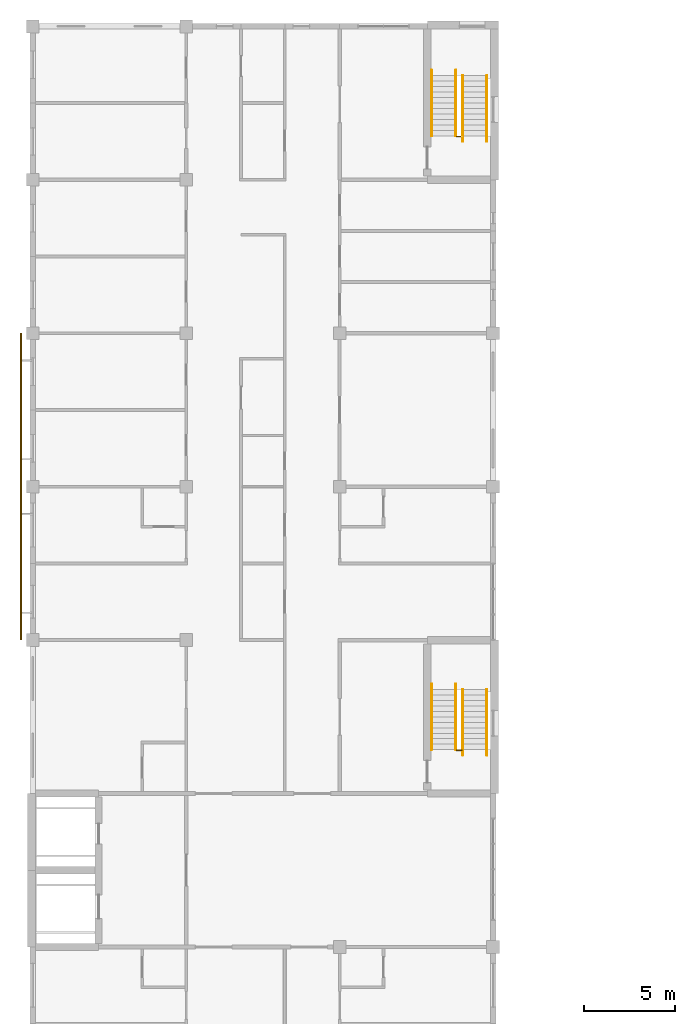
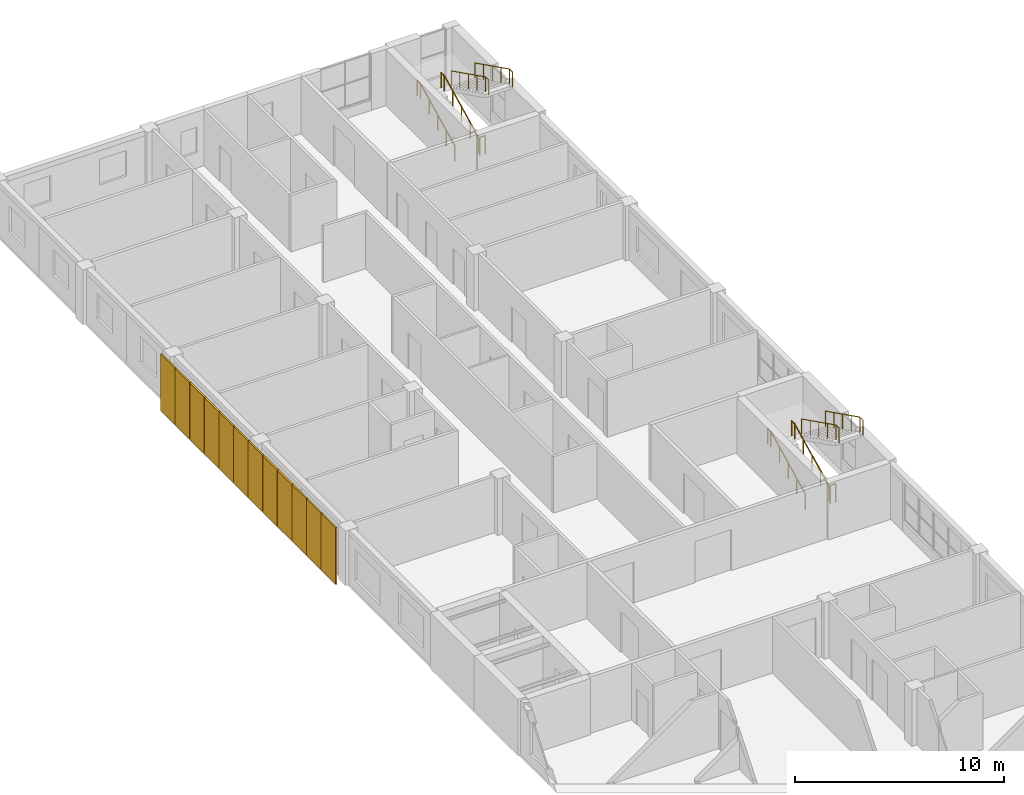
# One storey, part 47 of 48: 12 shading devices, 10 railings.
"""IFC4 building model written with IfcOpenShell, lengths in metres."""

from ifc_helpers import new_model, si_unit, direction, frame, origin, origin_2d, place, context, subcontext, project, spatial, rectangle, circle, extrude, material, layer, layer_set, type_object, element, save


model = new_model("IFC4")

# Units and contexts
model_context = context("Model", 3, precision=1e-05, world=origin(), true_north=direction((0.0, 1.0)))
body_context = subcontext(model_context, "Body", "Model", "MODEL_VIEW")
ifc_project = project(units=[si_unit("LENGTHUNIT", "METRE"), si_unit("AREAUNIT", "SQUARE_METRE"), si_unit("VOLUMEUNIT", "CUBIC_METRE"), si_unit("PLANEANGLEUNIT", "RADIAN"), si_unit("MASSUNIT", "GRAM", prefix="KILO")], contexts=[model_context])

# Site, building, storey
site_placement = place(None, origin())
site = spatial("IfcSite", under=ifc_project, at=site_placement, CompositionType="ELEMENT")
building_placement = place(site_placement, origin())
building = spatial("IfcBuilding", under=site, at=building_placement, Name="Yavir Park General Hospital", CompositionType="ELEMENT")
storey_placement = place(building_placement, frame((0.0, 0.0, 26.10009765625)))
storey = spatial("IfcBuildingStorey", under=building, at=storey_placement, Name="L06", CompositionType="ELEMENT", Elevation=26.10009765625)

# Shading devices
ifc_material_1 = material(Name="Precast concrete perforated block panel", Category="concrete")
ifc_layer = layer(ifc_material_1, 0.092041015625)
ifc_layer_set = layer_set([ifc_layer], Name="Precast concrete perforated block panel")
shading_device_type = type_object("IfcShadingDeviceType", Name="Precast breeze-block screen panel 1380 x 3300 x 92", PredefinedType="JALOUSIE", material=ifc_layer_set)
for number, where, z_axis, x_axis, name in (
    (1, (-0.64990234375, 84.699951171875, 0.0), (0.0, 0.0, 1.0), (1.0, 0.0, 0.0), "Screen panel W11.4.1"),
    (2, (-0.64990234375, 86.10009765625, 0.0), (0.0, 0.0, 1.0), (1.0, 0.0, 0.0), "Screen panel W11.4.2"),
    (3, (-0.64990234375, 87.5, 0.0), (0.0, 0.0, 1.0), (1.0, 0.0, 0.0), "Screen panel W11.4.3"),
    (4, (-0.64990234375, 88.89990234375, 0.0), (0.0, 0.0, 1.0), (1.0, 0.0, 0.0), "Screen panel W11.4.4"),
    (5, (-0.64990234375, 90.300048828125, 0.0), (0.0, 0.0, 1.0), (1.0, 0.0, 0.0), "Screen panel W11.4.5"),
    (6, (-0.64990234375, 91.699951171875, 0.0), (0.0, 0.0, 1.0), (1.0, 0.0, 0.0), "Screen panel W11.4.6"),
    (7, (-0.64990234375, 93.10009765625, 0.0), (0.0, 0.0, 1.0), (1.0, 0.0, 0.0), "Screen panel W12.4.1"),
    (8, (-0.64990234375, 94.5, 0.0), (0.0, 0.0, 1.0), (1.0, 0.0, 0.0), "Screen panel W12.4.2"),
    (9, (-0.64990234375, 95.89990234375, 0.0), (0.0, 0.0, 1.0), (1.0, 0.0, 0.0), "Screen panel W12.4.3"),
    (10, (-0.64990234375, 97.300048828125, 0.0), (0.0, 0.0, 1.0), (1.0, 0.0, 0.0), "Screen panel W12.4.4"),
    (11, (-0.64990234375, 98.699951171875, 0.0), (0.0, 0.0, 1.0), (1.0, 0.0, 0.0), "Screen panel W12.4.5"),
    (12, (-0.64990234375, 100.10009765625, 0.0), (0.0, 0.0, 1.0), (1.0, 0.0, 0.0), "Screen panel W12.4.6"),
):
    element("IfcShadingDevice", number, at=place(storey_placement, frame(where, z_axis=z_axis, x_axis=x_axis)), inside=storey, type_object=shading_device_type, Name=name, PredefinedType="JALOUSIE", context=body_context, shape_type="SweptSolid", body=[
        extrude(rectangle(XDim=0.092041015625, YDim=1.3798828125, at=origin_2d()), origin(), (0.0, 0.0, 1.0), 3.300048828125),
    ])

# Railings
ifc_material_2 = material(Name="Steel balustrade with infill rods", Category="steel")
railing_type_1 = type_object("IfcRailingType", Name="Stair guard, steel balustrade 1100 mm", PredefinedType="GUARDRAIL", material=ifc_material_2)
for number, where, name in (
    (13, (23.199951171875, 77.969970703125, 0.0), "Stair well guard SW2 L06"),
    (14, (23.199951171875, 111.570068359375, 0.0), "Stair well guard SW3 L06"),
):
    element("IfcRailing", number, at=place(storey_placement, frame(where)), inside=storey, type_object=railing_type_1, Name=name, PredefinedType="GUARDRAIL", context=body_context, shape_type="SweptSolid", body=[
        extrude(circle(Radius=0.02392578125, at=origin_2d()), frame((0.0, 0.0, 1.076171875), z_axis=(1.0, 0.0, 0.0), x_axis=(0.0, 1.0, 0.0)), (0.0, 0.0, 1.0), 0.300048828125),
        extrude(circle(Radius=0.02099609375, at=origin_2d()), origin(), (0.0, 0.0, 1.0), 1.052001953125),
        extrude(circle(Radius=0.02099609375, at=origin_2d()), frame((0.300048828125, 0.0, 0.0)), (0.0, 0.0, 1.0), 1.052001953125),
    ])
ifc_material_3 = material(Name="Stainless steel tube 48 mm", Category="steel")
railing_type_2 = type_object("IfcRailingType", Name="Stair handrail, steel tube, 900 mm above the nosings", PredefinedType="HANDRAIL", material=ifc_material_3)
for number, where, name in (
    (15, (21.840087890625, 78.0, 0.14990234375), "Handrail SW2 L06 1"),
    (16, (23.159912109375, 78.0, 0.14990234375), "Handrail SW2 L06 2"),
):
    element("IfcRailing", number, at=place(storey_placement, frame(where)), inside=storey, type_object=railing_type_2, Name=name, PredefinedType="HANDRAIL", context=body_context, shape_type="SweptSolid", body=[
        extrude(circle(Radius=0.02392578125, at=origin_2d()), frame((0.0, 0.0, 0.8759765625), z_axis=(0.0, 0.894440424912, 0.447187126696), x_axis=(-1.0, 0.0, 0.0)), (0.0, 0.0, 1.0), 3.689453125),
        extrude(circle(Radius=0.02392578125, at=origin_2d()), frame((0.0, 3.300048828125, 2.52587890625), z_axis=(0.0, 1.0, 0.0), x_axis=(-1.0, 0.0, 0.0)), (0.0, 0.0, 1.0), 0.300048828125),
        extrude(circle(Radius=0.02099609375, at=origin_2d()), origin(), (0.0, 0.0, 1.0), 0.851806640625),
        extrude(circle(Radius=0.02099609375, at=origin_2d()), frame((0.0, 0.824951171875, 0.41259765625)), (0.0, 0.0, 1.0), 0.851806640625),
        extrude(circle(Radius=0.02099609375, at=origin_2d()), frame((0.0, 1.64990234375, 0.824951171875)), (0.0, 0.0, 1.0), 0.851806640625),
        extrude(circle(Radius=0.02099609375, at=origin_2d()), frame((0.0, 2.47509765625, 1.2373046875)), (0.0, 0.0, 1.0), 0.851806640625),
        extrude(circle(Radius=0.02099609375, at=origin_2d()), frame((0.0, 3.300048828125, 1.64990234375)), (0.0, 0.0, 1.0), 0.851806640625),
        extrude(circle(Radius=0.02099609375, at=origin_2d()), frame((0.0, 3.60009765625, 1.64990234375)), (0.0, 0.0, 1.0), 0.851806640625),
    ])
for number, where, name in (
    (17, (24.860107421875, 81.300048828125, 1.949951171875), "Handrail SW2 L06 3"),
    (18, (23.5400390625, 81.300048828125, 1.949951171875), "Handrail SW2 L06 4"),
):
    element("IfcRailing", number, at=place(storey_placement, frame(where)), inside=storey, type_object=railing_type_2, Name=name, PredefinedType="HANDRAIL", context=body_context, shape_type="SweptSolid", body=[
        extrude(circle(Radius=0.02392578125, at=origin_2d()), frame((0.0, 0.0, 0.8759765625), z_axis=(0.0, -0.894440424912, 0.447187126696), x_axis=(1.0, 0.0, 0.0)), (0.0, 0.0, 1.0), 3.689453125),
        extrude(circle(Radius=0.02392578125, at=origin_2d()), frame((0.0, -3.300048828125, 2.52587890625), z_axis=(0.0, -1.0, 0.0), x_axis=(1.0, 0.0, 0.0)), (0.0, 0.0, 1.0), 0.300048828125),
        extrude(circle(Radius=0.02099609375, at=origin_2d()), origin(), (0.0, 0.0, 1.0), 0.851806640625),
        extrude(circle(Radius=0.02099609375, at=origin_2d()), frame((0.0, -0.824951171875, 0.41259765625)), (0.0, 0.0, 1.0), 0.851806640625),
        extrude(circle(Radius=0.02099609375, at=origin_2d()), frame((0.0, -1.64990234375, 0.824951171875)), (0.0, 0.0, 1.0), 0.851806640625),
        extrude(circle(Radius=0.02099609375, at=origin_2d()), frame((0.0, -2.47509765625, 1.2373046875)), (0.0, 0.0, 1.0), 0.851806640625),
        extrude(circle(Radius=0.02099609375, at=origin_2d()), frame((0.0, -3.300048828125, 1.64990234375)), (0.0, 0.0, 1.0), 0.851806640625),
        extrude(circle(Radius=0.02099609375, at=origin_2d()), frame((0.0, -3.60009765625, 1.64990234375)), (0.0, 0.0, 1.0), 0.851806640625),
    ])
for number, where, name in (
    (19, (21.840087890625, 111.60009765625, 0.14990234375), "Handrail SW3 L06 1"),
    (20, (23.159912109375, 111.60009765625, 0.14990234375), "Handrail SW3 L06 2"),
):
    element("IfcRailing", number, at=place(storey_placement, frame(where)), inside=storey, type_object=railing_type_2, Name=name, PredefinedType="HANDRAIL", context=body_context, shape_type="SweptSolid", body=[
        extrude(circle(Radius=0.02392578125, at=origin_2d()), frame((0.0, 0.0, 0.8759765625), z_axis=(0.0, 0.894427191, 0.4472135955), x_axis=(-1.0, 0.0, 0.0)), (0.0, 0.0, 1.0), 3.689208984375),
        extrude(circle(Radius=0.02392578125, at=origin_2d()), frame((0.0, 3.2998046875, 2.52587890625), z_axis=(0.0, 1.0, 0.0), x_axis=(-1.0, 0.0, 0.0)), (0.0, 0.0, 1.0), 0.300048828125),
        extrude(circle(Radius=0.02099609375, at=origin_2d()), origin(), (0.0, 0.0, 1.0), 0.851806640625),
        extrude(circle(Radius=0.02099609375, at=origin_2d()), frame((0.0, 0.824951171875, 0.41259765625)), (0.0, 0.0, 1.0), 0.851806640625),
        extrude(circle(Radius=0.02099609375, at=origin_2d()), frame((0.0, 1.64990234375, 0.824951171875)), (0.0, 0.0, 1.0), 0.851806640625),
        extrude(circle(Radius=0.02099609375, at=origin_2d()), frame((0.0, 2.474853515625, 1.2373046875)), (0.0, 0.0, 1.0), 0.851806640625),
        extrude(circle(Radius=0.02099609375, at=origin_2d()), frame((0.0, 3.2998046875, 1.64990234375)), (0.0, 0.0, 1.0), 0.851806640625),
        extrude(circle(Radius=0.02099609375, at=origin_2d()), frame((0.0, 3.599853515625, 1.64990234375)), (0.0, 0.0, 1.0), 0.851806640625),
    ])
for number, where, name in (
    (21, (24.860107421875, 114.89990234375, 1.949951171875), "Handrail SW3 L06 3"),
    (22, (23.5400390625, 114.89990234375, 1.949951171875), "Handrail SW3 L06 4"),
):
    element("IfcRailing", number, at=place(storey_placement, frame(where)), inside=storey, type_object=railing_type_2, Name=name, PredefinedType="HANDRAIL", context=body_context, shape_type="SweptSolid", body=[
        extrude(circle(Radius=0.02392578125, at=origin_2d()), frame((0.0, 0.0, 0.8759765625), z_axis=(0.0, -0.894427191, 0.4472135955), x_axis=(1.0, 0.0, 0.0)), (0.0, 0.0, 1.0), 3.689208984375),
        extrude(circle(Radius=0.02392578125, at=origin_2d()), frame((0.0, -3.2998046875, 2.52587890625), z_axis=(0.0, -1.0, 0.0), x_axis=(1.0, 0.0, 0.0)), (0.0, 0.0, 1.0), 0.300048828125),
        extrude(circle(Radius=0.02099609375, at=origin_2d()), origin(), (0.0, 0.0, 1.0), 0.851806640625),
        extrude(circle(Radius=0.02099609375, at=origin_2d()), frame((0.0, -0.824951171875, 0.41259765625)), (0.0, 0.0, 1.0), 0.851806640625),
        extrude(circle(Radius=0.02099609375, at=origin_2d()), frame((0.0, -1.64990234375, 0.824951171875)), (0.0, 0.0, 1.0), 0.851806640625),
        extrude(circle(Radius=0.02099609375, at=origin_2d()), frame((0.0, -2.474853515625, 1.2373046875)), (0.0, 0.0, 1.0), 0.851806640625),
        extrude(circle(Radius=0.02099609375, at=origin_2d()), frame((0.0, -3.2998046875, 1.64990234375)), (0.0, 0.0, 1.0), 0.851806640625),
        extrude(circle(Radius=0.02099609375, at=origin_2d()), frame((0.0, -3.599853515625, 1.64990234375)), (0.0, 0.0, 1.0), 0.851806640625),
    ])

save(model, "model.ifc")
